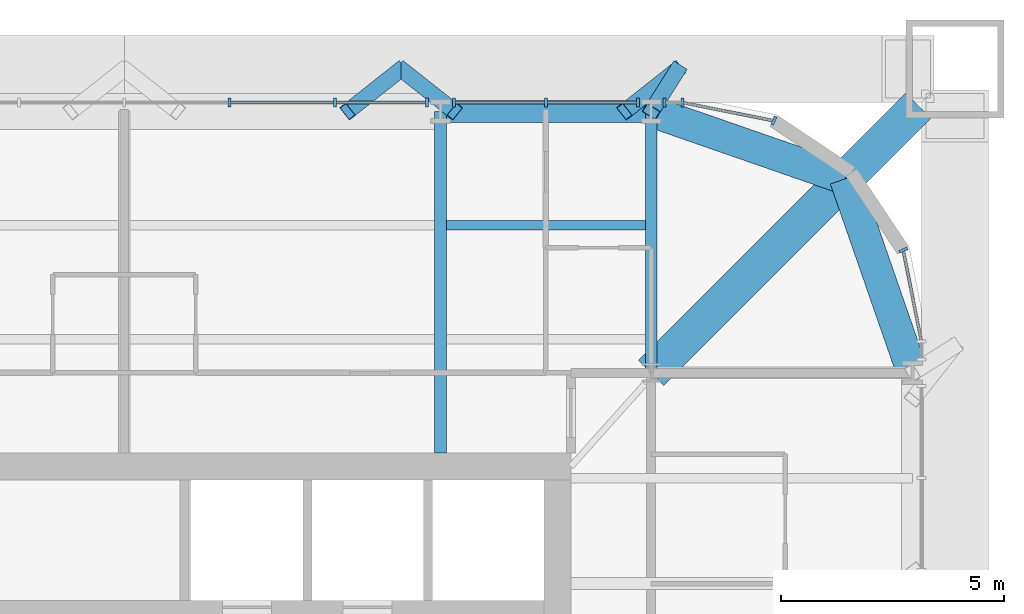
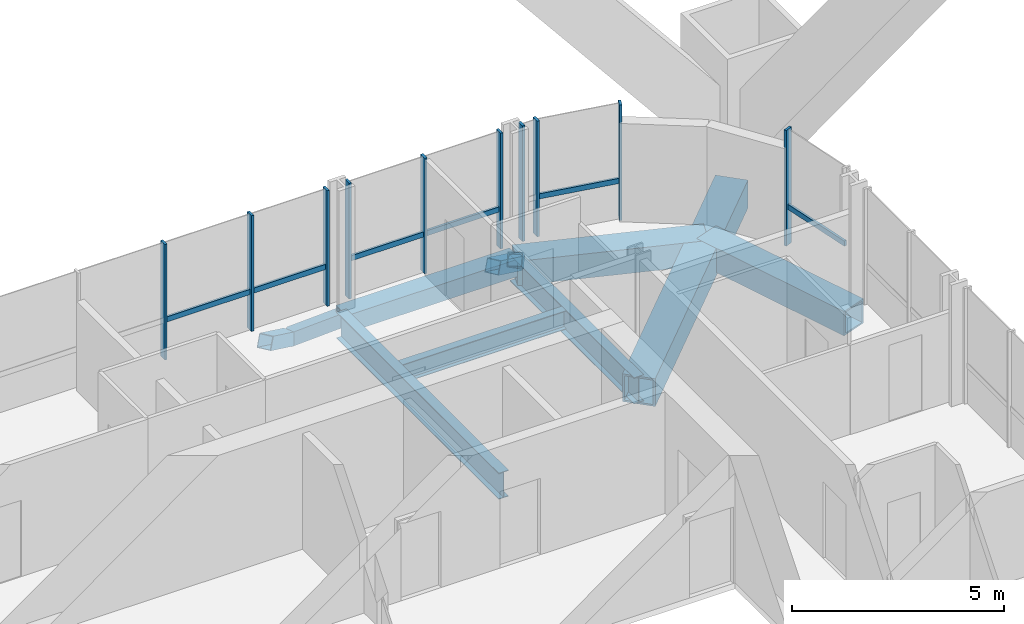
# One storey, part 12 of 23: 16 members, 11 beams, 5 elements without a shape of their own.
"""IFC4 building model written with IfcOpenShell, lengths in metres."""

from ifc_helpers import new_model, si_unit, direction, frame, origin, origin_2d, place, context, subcontext, project, spatial, rectangle, hollow_rectangle, i_section, extrude, material, material_profile, profile_set, type_object, element, aggregate, save


model = new_model("IFC4")

# Units and contexts
model_context = context("Model", 3, precision=1e-05, world=origin(), true_north=direction((0.0, 1.0)))
body_context = subcontext(model_context, "Body", "Model", "MODEL_VIEW")
ifc_project = project(units=[si_unit("LENGTHUNIT", "METRE"), si_unit("AREAUNIT", "SQUARE_METRE"), si_unit("VOLUMEUNIT", "CUBIC_METRE"), si_unit("PLANEANGLEUNIT", "RADIAN"), si_unit("MASSUNIT", "GRAM", prefix="KILO")], contexts=[model_context])

# Site, building, storey
site_placement = place(None, origin())
site = spatial("IfcSite", under=ifc_project, at=site_placement, CompositionType="ELEMENT")
building_placement = place(site_placement, origin())
building = spatial("IfcBuilding", under=site, at=building_placement, Name="Turquesa Mirador Hotel Tower", CompositionType="ELEMENT")
storey_placement = place(building_placement, frame((0.0, 0.0, 226.699951171875)))
storey = spatial("IfcBuildingStorey", under=building, at=storey_placement, Name="L61", CompositionType="ELEMENT", Elevation=226.699951171875)

# Beams
ifc_material_1 = material(Name="Steel ASTM A572 Grade 50", Category="steel")
ifc_material_profile_1 = material_profile(ifc_material_1, hollow_rectangle(XDim=0.5, YDim=0.5, WallThickness=0.031982421875, at=origin_2d()), Name="BOX500X500X32")
ifc_profile_set_1 = profile_set([ifc_material_profile_1], Name="Steel ASTM A572 Grade 50")
beam_type_1 = type_object("IfcBeamType", Name="BEAM BOX500X500X32", PredefinedType="BEAM", material=ifc_profile_set_1)
beam_1_placement = place(storey_placement, frame((62.080078125, 62.64990234375, -0.419921875), z_axis=(1.0, 0.0, 0.0), x_axis=(0.0, 1.0, 0.0)))
element("IfcBeam", 1, at=beam_1_placement, inside=storey, type_object=beam_type_1, Name="EB-L61-N-R", PredefinedType="BEAM", context=body_context, shape_type="SweptSolid", body=[
    extrude(hollow_rectangle(XDim=0.5, YDim=0.5, WallThickness=0.031982421875, at=origin_2d()), origin(), (0.0, 0.0, 1.0), 4.719970703125),
])
ifc_material_2 = material(Name="Steel ASTM A572 Grade 50", Category="steel")
ifc_material_profile_2 = material_profile(ifc_material_2, hollow_rectangle(XDim=0.699951171875, YDim=0.699951171875, WallThickness=0.044921875, at=origin_2d()), Name="BOX700X700X45")
ifc_profile_set_2 = profile_set([ifc_material_profile_2], Name="Steel ASTM A572 Grade 50")
beam_type_2 = type_object("IfcBeamType", Name="BEAM BOX700X700X45", PredefinedType="BEAM", material=ifc_profile_set_2)
for number, where, z_axis, x_axis, name in (
    (2, (72.64990234375, 56.800048828125, -0.52001953125), (-0.328170356092, 0.944618556552, 0.0), (-0.944618556552, -0.328170356092, 0.0), "KE-L61-1-0"),
    (3, (71.1416015625, 61.1416015625, -0.52001953125), (-0.944618556552, 0.328170356092, 0.0), (-0.328170356092, -0.944618556552, 0.0), "KE-L61-1-1"),
):
    element("IfcBeam", number, at=place(storey_placement, frame(where, z_axis=z_axis, x_axis=x_axis)), inside=storey, type_object=beam_type_2, Name=name, PredefinedType="BEAM", context=body_context, shape_type="SweptSolid", body=[
        extrude(hollow_rectangle(XDim=0.699951171875, YDim=0.699951171875, WallThickness=0.044921875, at=origin_2d()), origin(), (0.0, 0.0, 1.0), 4.59619140625),
    ])
ifc_material_3 = material(Name="Steel ASTM A572 Grade 50", Category="steel")
ifc_material_profile_3 = material_profile(ifc_material_3, hollow_rectangle(XDim=0.800048828125, YDim=0.800048828125, WallThickness=0.050048828125, at=origin_2d()), Name="BOX800X800X50")
ifc_profile_set_3 = profile_set([ifc_material_profile_3], Name="Steel ASTM A572 Grade 50")
beam_type_3 = type_object("IfcBeamType", Name="BEAM BOX800X800X50", PredefinedType="BEAM", material=ifc_profile_set_3)
beam_2_placement = place(storey_placement, frame((66.800048828125, 56.800048828125, -0.570068359375), z_axis=(0.707106781187, 0.707106781187, 0.0), x_axis=(-0.707106781187, 0.707106781187, 0.0)))
element("IfcBeam", 4, at=beam_2_placement, inside=storey, type_object=beam_type_3, Name="KD-L61-1", PredefinedType="BEAM", context=body_context, shape_type="SweptSolid", body=[
    extrude(hollow_rectangle(XDim=0.800048828125, YDim=0.800048828125, WallThickness=0.050048828125, at=origin_2d()), origin(), (0.0, 0.0, 1.0), 8.46240234375),
])
ifc_material_4 = material(Name="Steel ASTM A992 Grade 50", Category="steel")
ifc_material_profile_4 = material_profile(ifc_material_4, i_section(OverallWidth=0.209228515625, OverallDepth=0.533447265625, WebThickness=0.01025390625, FlangeThickness=0.015625, at=origin_2d()), Name="W21X62")
ifc_profile_set_4 = profile_set([ifc_material_profile_4], Name="Steel ASTM A992 Grade 50")
beam_type_4 = type_object("IfcBeamType", Name="BEAM W21X62", PredefinedType="BEAM", material=ifc_profile_set_4)
beam_3_placement = place(storey_placement, frame((62.21337890625, 60.10009765625, -0.436767578125), z_axis=(1.0, 0.0, 0.0), x_axis=(0.0, 1.0, 0.0)))
element("IfcBeam", 5, at=beam_3_placement, inside=storey, type_object=beam_type_4, Name="IB-L61-N-2-3", PredefinedType="BEAM", context=body_context, shape_type="SweptSolid", body=[
    extrude(i_section(OverallWidth=0.209228515625, OverallDepth=0.533447265625, WebThickness=0.01025390625, FlangeThickness=0.015625, at=origin_2d()), origin(), (0.0, 0.0, 1.0), 4.453369140625),
])
ifc_material_5 = material(Name="Steel ASTM A992 Grade 50", Category="steel")
ifc_material_profile_5 = material_profile(ifc_material_5, i_section(OverallWidth=0.2666015625, OverallDepth=0.7568359375, WebThickness=0.013916015625, FlangeThickness=0.019287109375, at=origin_2d()), Name="W30X108")
ifc_profile_set_5 = profile_set([ifc_material_profile_5], Name="Steel ASTM A992 Grade 50")
beam_type_5 = type_object("IfcBeamType", Name="BEAM W30X108", PredefinedType="BEAM", material=ifc_profile_set_5)
beam_4_placement = place(storey_placement, frame((62.080078125, 62.64990234375, -0.54833984375), z_axis=(0.0, -1.0, 0.0), x_axis=(1.0, 0.0, 0.0)))
element("IfcBeam", 6, at=beam_4_placement, inside=storey, type_object=beam_type_5, Name="GD-L61-N-+7.08", PredefinedType="BEAM", context=body_context, shape_type="SweptSolid", body=[
    extrude(i_section(OverallWidth=0.2666015625, OverallDepth=0.7568359375, WebThickness=0.013916015625, FlangeThickness=0.019287109375, at=origin_2d()), origin(), (0.0, 0.0, 1.0), 7.64990234375),
])
beam_5_placement = place(storey_placement, frame((66.800048828125, 62.64990234375, -0.54833984375), z_axis=(0.0, -1.0, 0.0), x_axis=(1.0, 0.0, 0.0)))
element("IfcBeam", 7, at=beam_5_placement, inside=storey, type_object=beam_type_5, Name="GK-L61-N-+11.80", PredefinedType="BEAM", context=body_context, shape_type="SweptSolid", body=[
    extrude(i_section(OverallWidth=0.2666015625, OverallDepth=0.7568359375, WebThickness=0.013916015625, FlangeThickness=0.019287109375, at=origin_2d()), origin(), (0.0, 0.0, 1.0), 5.849853515625),
])
ifc_material_6 = material(Name="Steel ASTM A500 Grade C", Category="steel")
ifc_material_profile_6 = material_profile(ifc_material_6, hollow_rectangle(XDim=0.355712890625, YDim=0.355712890625, WallThickness=0.0146484375, at=origin_2d()), Name="HSS14X14X5/8")
ifc_profile_set_6 = profile_set([ifc_material_profile_6], Name="Steel ASTM A500 Grade C")
beam_type_6 = type_object("IfcBeamType", Name="BRACE STRUT HSS14X14X5/8", PredefinedType="BEAM", material=ifc_profile_set_6)
for number, where, z_axis, x_axis, name in (
    (8, (61.199951171875, 63.60009765625, -1.199951171875), (-0.684941954003, -0.542379264492, 0.486496919924), (0.620796907089, -0.783971428146, 0.0), "Brace strut"),
    (9, (61.199951171875, 63.60009765625, -1.199951171875), (0.684941954003, -0.542379264492, 0.486496919924), (0.620796907089, 0.783971428146, 0.0), "Brace strut"),
    (10, (67.39990234375, 63.60009765625, -1.199951171875), (-0.684941954003, -0.542379264492, 0.486496919924), (0.620796907089, -0.783971428146, 0.0), "Brace strut"),
):
    element("IfcBeam", number, at=place(storey_placement, frame(where, z_axis=z_axis, x_axis=x_axis)), inside=storey, type_object=beam_type_6, Name=name, PredefinedType="BEAM", context=body_context, shape_type="SweptSolid", body=[
        extrude(hollow_rectangle(XDim=0.355712890625, YDim=0.355712890625, WallThickness=0.0146484375, at=origin_2d()), origin(), (0.0, 0.0, 1.0), 1.751953125),
    ])
beam_6_placement = place(storey_placement, frame((67.39990234375, 63.60009765625, -1.199951171875), z_axis=(-0.425320857531, -0.673727626174, 0.604312215564), x_axis=(0.845597303237, -0.53382131913, 0.0)))
element("IfcBeam", 11, at=beam_6_placement, inside=storey, type_object=beam_type_6, Name="Brace strut", PredefinedType="BEAM", context=body_context, shape_type="SweptSolid", body=[
    extrude(hollow_rectangle(XDim=0.355712890625, YDim=0.355712890625, WallThickness=0.0146484375, at=origin_2d()), origin(), (0.0, 0.0, 1.0), 1.410400390625),
])

# Curtain wall, member
ifc_material_7 = material(Name="Aluminium extrusion", Category="aluminium")
curtain_wall_type = type_object("IfcCurtainWallType", Name="CW-4 SUITE FRITTED CURTAIN WALL", PredefinedType="USERDEFINED", material=ifc_material_7)
curtain_wall_1_placement = place(storey_placement, origin())
curtain_wall_1 = element("IfcCurtainWall", 12, at=curtain_wall_1_placement, inside=storey, type_object=curtain_wall_type, Name="CW-4 SUITE FRITTED CURTAIN WALL L61", ObjectType="CURTAIN WALL", PredefinedType="USERDEFINED")
ifc_material_8 = material(Name="Aluminium extrusion", Category="aluminium")
ifc_material_profile_7 = material_profile(ifc_material_8, rectangle(XDim=0.06494140625, YDim=0.199951171875, at=origin_2d()), Name="MULLION 65X200")
ifc_profile_set_7 = profile_set([ifc_material_profile_7], Name="Aluminium extrusion")
member_type_1 = type_object("IfcMemberType", Name="CW MULLION 65X200", PredefinedType="MULLION", material=ifc_profile_set_7)
member_1_placement = place(storey_placement, frame((72.44287109375, 59.54736328125, 0.0), z_axis=(0.0, 0.0, 1.0), x_axis=(-0.382683432365, 0.923879532511, 0.0)))
member_1 = element("IfcMember", 13, at=member_1_placement, type_object=member_type_1, Name="Mullion", PredefinedType="MULLION", context=body_context, shape_type="SweptSolid", body=[
    extrude(rectangle(XDim=0.06494140625, YDim=0.199951171875, at=origin_2d()), origin(), (0.0, 0.0, 1.0), 3.330078125),
])

curtain_wall_2_placement = place(storey_placement, origin())
curtain_wall_2 = element("IfcCurtainWall", 14, at=curtain_wall_2_placement, inside=storey, type_object=curtain_wall_type, Name="CW-4 SUITE FRITTED CURTAIN WALL L61", ObjectType="CURTAIN WALL", PredefinedType="USERDEFINED")
member_2_placement = place(storey_placement, frame((69.54736328125, 62.44287109375, 0.0), z_axis=(0.0, 0.0, 1.0), x_axis=(-0.923879532511, 0.382683432365, 0.0)))
member_2 = element("IfcMember", 15, at=member_2_placement, type_object=member_type_1, Name="Mullion", PredefinedType="MULLION", context=body_context, shape_type="SweptSolid", body=[
    extrude(rectangle(XDim=0.06494140625, YDim=0.199951171875, at=origin_2d()), origin(), (0.0, 0.0, 1.0), 3.330078125),
])

# Curtain wall, members
curtain_wall_3_placement = place(storey_placement, origin())
curtain_wall_3 = element("IfcCurtainWall", 16, at=curtain_wall_3_placement, inside=storey, type_object=curtain_wall_type, Name="CW-4 SUITE FRITTED CURTAIN WALL L61", ObjectType="CURTAIN WALL", PredefinedType="USERDEFINED")
member_3_placement = place(storey_placement, frame((67.5, 62.85009765625, 0.0), z_axis=(0.0, 0.0, 1.0), x_axis=(-1.0, 0.0, 0.0)))
member_3 = element("IfcMember", 17, at=member_3_placement, type_object=member_type_1, Name="Mullion", PredefinedType="MULLION", context=body_context, shape_type="SweptSolid", body=[
    extrude(rectangle(XDim=0.06494140625, YDim=0.199951171875, at=origin_2d()), origin(), (0.0, 0.0, 1.0), 3.330078125),
])
member_4_placement = place(storey_placement, frame((67.099853515625, 62.85009765625, 0.0), z_axis=(0.0, 0.0, 1.0), x_axis=(-1.0, 0.0, 0.0)))
member_4 = element("IfcMember", 18, at=member_4_placement, type_object=member_type_1, Name="Mullion", PredefinedType="MULLION", context=body_context, shape_type="SweptSolid", body=[
    extrude(rectangle(XDim=0.06494140625, YDim=0.199951171875, at=origin_2d()), origin(), (0.0, 0.0, 1.0), 3.330078125),
])
aggregate(curtain_wall_3, [member_3, member_4])

curtain_wall_4_placement = place(storey_placement, origin())
curtain_wall_4 = element("IfcCurtainWall", 19, at=curtain_wall_4_placement, inside=storey, type_object=curtain_wall_type, Name="CW-4 SUITE FRITTED CURTAIN WALL L61", ObjectType="CURTAIN WALL", PredefinedType="USERDEFINED")
member_5_placement = place(storey_placement, frame((66.5, 62.85009765625, 0.0), z_axis=(0.0, 0.0, 1.0), x_axis=(-1.0, 0.0, 0.0)))
member_5 = element("IfcMember", 20, at=member_5_placement, type_object=member_type_1, Name="Mullion", PredefinedType="MULLION", context=body_context, shape_type="SweptSolid", body=[
    extrude(rectangle(XDim=0.06494140625, YDim=0.199951171875, at=origin_2d()), origin(), (0.0, 0.0, 1.0), 3.330078125),
])
member_6_placement = place(storey_placement, frame((64.43994140625, 62.85009765625, 0.0), z_axis=(0.0, 0.0, 1.0), x_axis=(-1.0, 0.0, 0.0)))
member_6 = element("IfcMember", 21, at=member_6_placement, type_object=member_type_1, Name="Mullion", PredefinedType="MULLION", context=body_context, shape_type="SweptSolid", body=[
    extrude(rectangle(XDim=0.06494140625, YDim=0.199951171875, at=origin_2d()), origin(), (0.0, 0.0, 1.0), 3.330078125),
])
member_7_placement = place(storey_placement, frame((62.3798828125, 62.85009765625, 0.0), z_axis=(0.0, 0.0, 1.0), x_axis=(-1.0, 0.0, 0.0)))
member_7 = element("IfcMember", 22, at=member_7_placement, type_object=member_type_1, Name="Mullion", PredefinedType="MULLION", context=body_context, shape_type="SweptSolid", body=[
    extrude(rectangle(XDim=0.06494140625, YDim=0.199951171875, at=origin_2d()), origin(), (0.0, 0.0, 1.0), 3.330078125),
])

curtain_wall_5_placement = place(storey_placement, origin())
curtain_wall_5 = element("IfcCurtainWall", 23, at=curtain_wall_5_placement, inside=storey, type_object=curtain_wall_type, Name="CW-4 SUITE FRITTED CURTAIN WALL L61", ObjectType="CURTAIN WALL", PredefinedType="USERDEFINED")
member_8_placement = place(storey_placement, frame((61.780029296875, 62.85009765625, 0.0), z_axis=(0.0, 0.0, 1.0), x_axis=(-1.0, 0.0, 0.0)))
member_8 = element("IfcMember", 24, at=member_8_placement, type_object=member_type_1, Name="Mullion", PredefinedType="MULLION", context=body_context, shape_type="SweptSolid", body=[
    extrude(rectangle(XDim=0.06494140625, YDim=0.199951171875, at=origin_2d()), origin(), (0.0, 0.0, 1.0), 3.330078125),
])
member_9_placement = place(storey_placement, frame((59.719970703125, 62.85009765625, 0.0), z_axis=(0.0, 0.0, 1.0), x_axis=(-1.0, 0.0, 0.0)))
member_9 = element("IfcMember", 25, at=member_9_placement, type_object=member_type_1, Name="Mullion", PredefinedType="MULLION", context=body_context, shape_type="SweptSolid", body=[
    extrude(rectangle(XDim=0.06494140625, YDim=0.199951171875, at=origin_2d()), origin(), (0.0, 0.0, 1.0), 3.330078125),
])
member_10_placement = place(storey_placement, frame((57.360107421875, 62.85009765625, 0.0), z_axis=(0.0, 0.0, 1.0), x_axis=(-1.0, 0.0, 0.0)))
member_10 = element("IfcMember", 26, at=member_10_placement, type_object=member_type_1, Name="Mullion", PredefinedType="MULLION", context=body_context, shape_type="SweptSolid", body=[
    extrude(rectangle(XDim=0.06494140625, YDim=0.199951171875, at=origin_2d()), origin(), (0.0, 0.0, 1.0), 3.330078125),
])

# Member
ifc_material_9 = material(Name="Aluminium extrusion", Category="aluminium")
ifc_material_profile_8 = material_profile(ifc_material_9, rectangle(XDim=0.06494140625, YDim=0.14990234375, at=origin_2d()), Name="TRANSOM 65X150")
ifc_profile_set_8 = profile_set([ifc_material_profile_8], Name="Aluminium extrusion")
member_type_2 = type_object("IfcMemberType", Name="CW TRANSOM 65X150", PredefinedType="USERDEFINED", material=ifc_profile_set_8)
member_11_placement = place(storey_placement, frame((72.84375, 57.531982421875, 1.10009765625), z_axis=(-0.195210621934, 0.980761343592, 0.0), x_axis=(-0.980761343592, -0.195210621934, 0.0)))
member_11 = element("IfcMember", 27, at=member_11_placement, type_object=member_type_2, Name="Transom", ObjectType="TRANSOM", PredefinedType="USERDEFINED", context=body_context, shape_type="SweptSolid", body=[
    extrude(rectangle(XDim=0.06494140625, YDim=0.14990234375, at=origin_2d()), origin(), (0.0, 0.0, 1.0), 2.022216796875),
])

aggregate(curtain_wall_1, [member_1, member_11])

member_12_placement = place(storey_placement, frame((69.515380859375, 62.448974609375, 1.10009765625), z_axis=(-0.980761343592, 0.195210621934, 0.0), x_axis=(-0.195210621934, -0.980761343592, 0.0)))
member_12 = element("IfcMember", 28, at=member_12_placement, type_object=member_type_2, Name="Transom", ObjectType="TRANSOM", PredefinedType="USERDEFINED", context=body_context, shape_type="SweptSolid", body=[
    extrude(rectangle(XDim=0.06494140625, YDim=0.14990234375, at=origin_2d()), origin(), (0.0, 0.0, 1.0), 2.022216796875),
])

aggregate(curtain_wall_2, [member_2, member_12])

member_13_placement = place(storey_placement, frame((66.467529296875, 62.85009765625, 1.10009765625), z_axis=(-1.0, 0.0, 0.0), x_axis=(0.0, -1.0, 0.0)))
member_13 = element("IfcMember", 29, at=member_13_placement, type_object=member_type_2, Name="Transom", ObjectType="TRANSOM", PredefinedType="USERDEFINED", context=body_context, shape_type="SweptSolid", body=[
    extrude(rectangle(XDim=0.06494140625, YDim=0.14990234375, at=origin_2d()), origin(), (0.0, 0.0, 1.0), 1.9951171875),
])

member_14_placement = place(storey_placement, frame((64.407470703125, 62.85009765625, 1.10009765625), z_axis=(-1.0, 0.0, 0.0), x_axis=(0.0, -1.0, 0.0)))
member_14 = element("IfcMember", 30, at=member_14_placement, type_object=member_type_2, Name="Transom", ObjectType="TRANSOM", PredefinedType="USERDEFINED", context=body_context, shape_type="SweptSolid", body=[
    extrude(rectangle(XDim=0.06494140625, YDim=0.14990234375, at=origin_2d()), origin(), (0.0, 0.0, 1.0), 1.9951171875),
])

aggregate(curtain_wall_4, [member_5, member_6, member_7, member_13, member_14])

member_15_placement = place(storey_placement, frame((61.74755859375, 62.85009765625, 1.10009765625), z_axis=(-1.0, 0.0, 0.0), x_axis=(0.0, -1.0, 0.0)))
member_15 = element("IfcMember", 31, at=member_15_placement, type_object=member_type_2, Name="Transom", ObjectType="TRANSOM", PredefinedType="USERDEFINED", context=body_context, shape_type="SweptSolid", body=[
    extrude(rectangle(XDim=0.06494140625, YDim=0.14990234375, at=origin_2d()), origin(), (0.0, 0.0, 1.0), 1.9951171875),
])

member_16_placement = place(storey_placement, frame((59.6875, 62.85009765625, 1.10009765625), z_axis=(-1.0, 0.0, 0.0), x_axis=(0.0, -1.0, 0.0)))
member_16 = element("IfcMember", 32, at=member_16_placement, type_object=member_type_2, Name="Transom", ObjectType="TRANSOM", PredefinedType="USERDEFINED", context=body_context, shape_type="SweptSolid", body=[
    extrude(rectangle(XDim=0.06494140625, YDim=0.14990234375, at=origin_2d()), origin(), (0.0, 0.0, 1.0), 2.294921875),
])

aggregate(curtain_wall_5, [member_8, member_9, member_10, member_15, member_16])

save(model, "model.ifc")
